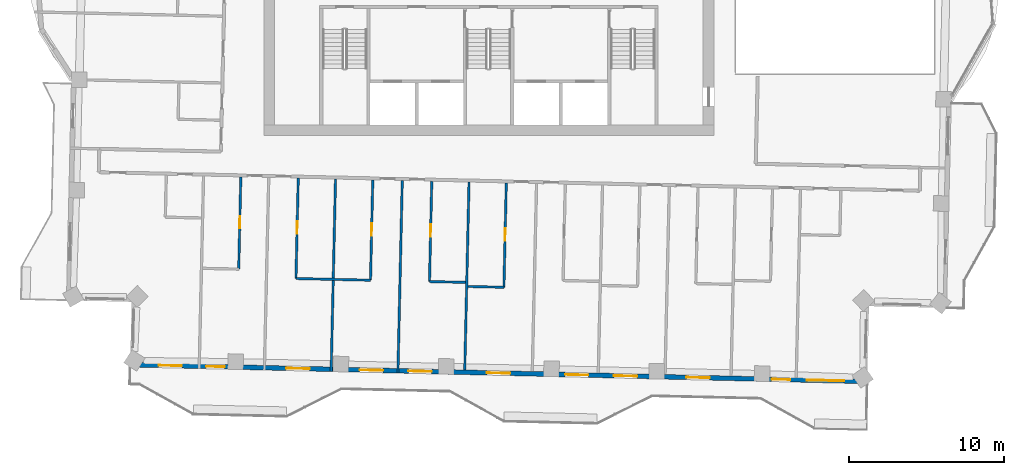
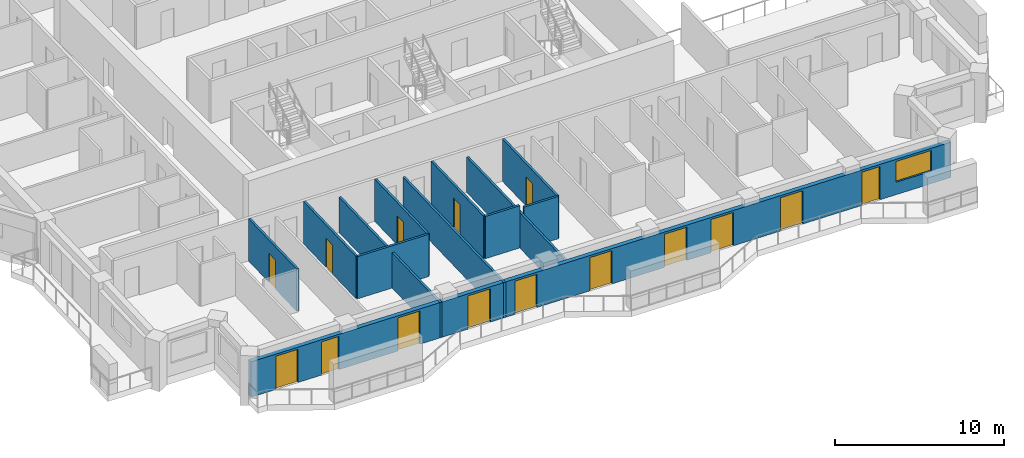
# One storey, part 6 of 17: 15 doors, 12 walls, 1 window, 16 openings.
"""IFC4 building model written with IfcOpenShell, lengths in metres."""

from ifc_helpers import new_model, si_unit, direction, frame, frame_2d, origin, place, context, subcontext, project, spatial, rectangle, extrude, material, layer, layer_set, type_object, element, fill, save


model = new_model("IFC4")

# Units and contexts
model_context = context("Model", 3, precision=1e-05, world=origin(), true_north=direction((0.0, 1.0)))
body_context = subcontext(model_context, "Body", "Model", "MODEL_VIEW")
ifc_project = project(units=[si_unit("LENGTHUNIT", "METRE"), si_unit("AREAUNIT", "SQUARE_METRE"), si_unit("VOLUMEUNIT", "CUBIC_METRE"), si_unit("PLANEANGLEUNIT", "RADIAN"), si_unit("MASSUNIT", "GRAM", prefix="KILO")], contexts=[model_context])

# Site, building, storey
site_placement = place(None, origin())
site = spatial("IfcSite", under=ifc_project, at=site_placement, CompositionType="ELEMENT")
building_placement = place(site_placement, origin())
building = spatial("IfcBuilding", under=site, at=building_placement, Name="Mangrove Gate Tower", CompositionType="ELEMENT")
storey_placement = place(building_placement, frame((0.0, 0.0, 257.300048828125)))
storey = spatial("IfcBuildingStorey", under=building, at=storey_placement, Name="L65", CompositionType="ELEMENT", Elevation=257.300048828125)

# Wall, openings, doors, window
ifc_material_1 = material(Name="Limestone", Category="masonry")
ifc_layer_1 = layer(ifc_material_1, 0.0400390625, Name="Limestone cladding")
ifc_material_2 = material(Name="Ventilated air gap")
ifc_layer_2 = layer(ifc_material_2, 0.0400390625, Name="Ventilated cavity")
ifc_material_3 = material(Name="Mineral wool insulation")
ifc_layer_3 = layer(ifc_material_3, 0.06005859375, Name="Insulation")
ifc_material_4 = material(Name="Breather membrane")
ifc_layer_4 = layer(ifc_material_4, 0.001953125, Name="Breather membrane")
ifc_material_5 = material(Name="Concrete C20/25 blockwork", Category="masonry")
ifc_layer_5 = layer(ifc_material_5, 0.14990234375, Name="Blockwork backing wall")
ifc_material_6 = material(Name="Gypsum plaster")
ifc_layer_6 = layer(ifc_material_6, 0.008056640625, Name="Internal plaster")
ifc_layer_set_1 = layer_set([ifc_layer_1, ifc_layer_2, ifc_layer_3, ifc_layer_4, ifc_layer_5, ifc_layer_6], Name="External wall 300 limestone cladding")
wall_type_1 = type_object("IfcWallType", Name="External wall 300 limestone cladding", PredefinedType="SOLIDWALL", material=ifc_layer_set_1)
wall_1_placement = place(storey_placement, frame((-22.949951171875, -26.2490234375, 0.0), z_axis=(0.0, 0.0, 1.0), x_axis=(0.999742196137, -0.022705533743, 0.0)))
wall_1 = element("IfcWall", 1, at=wall_1_placement, inside=storey, type_object=wall_type_1, Name="WALL-L65-S13", PredefinedType="SOLIDWALL", context=body_context, shape_type="SweptSolid", body=[
    extrude(rectangle(XDim=47.171142578125, YDim=0.300048828125, at=frame_2d((23.58544921875, 0.0))), origin(), (0.0, 0.0, 1.0), 2.550048828125),
])
opening_1_placement = place(wall_1_placement, frame((1.676025390625, 0.0, 0.0)))
opening_1 = element("IfcOpeningElement", 2, at=opening_1_placement, cuts=wall_1, Name="Opening BD1", PredefinedType="OPENING", context=body_context, shape_type="SweptSolid", body=[
    extrude(rectangle(XDim=1.5, YDim=2.39990234375, at=frame_2d((0.75, 1.199951171875))), frame((0.0, 0.159912109375, 0.0), z_axis=(0.0, -1.0, 0.0), x_axis=(1.0, 0.0, 0.0)), (0.0, 0.0, 1.0), 0.320068359375),
])
opening_2_placement = place(wall_1_placement, frame((4.740966796875, 0.0, 0.0)))
opening_2 = element("IfcOpeningElement", 3, at=opening_2_placement, cuts=wall_1, Name="Opening BD2", PredefinedType="OPENING", context=body_context, shape_type="SweptSolid", body=[
    extrude(rectangle(XDim=1.199951171875, YDim=2.39990234375, at=frame_2d((0.60009765625, 1.199951171875))), frame((0.0, 0.159912109375, 0.0), z_axis=(0.0, -1.0, 0.0), x_axis=(1.0, 0.0, 0.0)), (0.0, 0.0, 1.0), 0.320068359375),
])
opening_3_placement = place(wall_1_placement, frame((9.89990234375, 0.0, 0.0)))
opening_3 = element("IfcOpeningElement", 4, at=opening_3_placement, cuts=wall_1, Name="Opening BD1", PredefinedType="OPENING", context=body_context, shape_type="SweptSolid", body=[
    extrude(rectangle(XDim=1.5, YDim=2.39990234375, at=frame_2d((0.75, 1.199951171875))), frame((0.0, 0.159912109375, 0.0), z_axis=(0.0, -1.0, 0.0), x_axis=(1.0, 0.0, 0.0)), (0.0, 0.0, 1.0), 0.320068359375),
])
opening_4_placement = place(wall_1_placement, frame((14.632080078125, 0.0, 0.0)))
opening_4 = element("IfcOpeningElement", 5, at=opening_4_placement, cuts=wall_1, Name="Opening BD1", PredefinedType="OPENING", context=body_context, shape_type="SweptSolid", body=[
    extrude(rectangle(XDim=1.5, YDim=2.39990234375, at=frame_2d((0.75, 1.199951171875))), frame((0.0, 0.159912109375, 0.0), z_axis=(0.0, -1.0, 0.0), x_axis=(1.0, 0.0, 0.0)), (0.0, 0.0, 1.0), 0.320068359375),
])
opening_5_placement = place(wall_1_placement, frame((17.77294921875, 0.0, 0.0)))
opening_5 = element("IfcOpeningElement", 6, at=opening_5_placement, cuts=wall_1, Name="Opening BD1", PredefinedType="OPENING", context=body_context, shape_type="SweptSolid", body=[
    extrude(rectangle(XDim=1.5, YDim=2.39990234375, at=frame_2d((0.75, 1.199951171875))), frame((0.0, 0.159912109375, 0.0), z_axis=(0.0, -1.0, 0.0), x_axis=(1.0, 0.0, 0.0)), (0.0, 0.0, 1.0), 0.320068359375),
])
opening_6_placement = place(wall_1_placement, frame((22.824951171875, 0.0, 0.0)))
opening_6 = element("IfcOpeningElement", 7, at=opening_6_placement, cuts=wall_1, Name="Opening BD1", PredefinedType="OPENING", context=body_context, shape_type="SweptSolid", body=[
    extrude(rectangle(XDim=1.5, YDim=2.39990234375, at=frame_2d((0.75, 1.199951171875))), frame((0.0, 0.159912109375, 0.0), z_axis=(0.0, -1.0, 0.0), x_axis=(1.0, 0.0, 0.0)), (0.0, 0.0, 1.0), 0.320068359375),
])
opening_7_placement = place(wall_1_placement, frame((27.863037109375, 0.0, 0.0)))
opening_7 = element("IfcOpeningElement", 8, at=opening_7_placement, cuts=wall_1, Name="Opening BD1", PredefinedType="OPENING", context=body_context, shape_type="SweptSolid", body=[
    extrude(rectangle(XDim=1.5, YDim=2.39990234375, at=frame_2d((0.75, 1.199951171875))), frame((0.0, 0.159912109375, 0.0), z_axis=(0.0, -1.0, 0.0), x_axis=(1.0, 0.0, 0.0)), (0.0, 0.0, 1.0), 0.320068359375),
])
opening_8_placement = place(wall_1_placement, frame((31.00390625, 0.0, 0.0)))
opening_8 = element("IfcOpeningElement", 9, at=opening_8_placement, cuts=wall_1, Name="Opening BD1", PredefinedType="OPENING", context=body_context, shape_type="SweptSolid", body=[
    extrude(rectangle(XDim=1.5, YDim=2.39990234375, at=frame_2d((0.75, 1.199951171875))), frame((0.0, 0.159912109375, 0.0), z_axis=(0.0, -1.0, 0.0), x_axis=(1.0, 0.0, 0.0)), (0.0, 0.0, 1.0), 0.320068359375),
])
opening_9_placement = place(wall_1_placement, frame((35.675048828125, 0.0, 0.0)))
opening_9 = element("IfcOpeningElement", 10, at=opening_9_placement, cuts=wall_1, Name="Opening BD1", PredefinedType="OPENING", context=body_context, shape_type="SweptSolid", body=[
    extrude(rectangle(XDim=1.5, YDim=2.39990234375, at=frame_2d((0.75, 1.199951171875))), frame((0.0, 0.159912109375, 0.0), z_axis=(0.0, -1.0, 0.0), x_axis=(1.0, 0.0, 0.0)), (0.0, 0.0, 1.0), 0.320068359375),
])
opening_10_placement = place(wall_1_placement, frame((41.169921875, 0.0, 0.0)))
opening_10 = element("IfcOpeningElement", 11, at=opening_10_placement, cuts=wall_1, Name="Opening BD2", PredefinedType="OPENING", context=body_context, shape_type="SweptSolid", body=[
    extrude(rectangle(XDim=1.199951171875, YDim=2.39990234375, at=frame_2d((0.60009765625, 1.199951171875))), frame((0.0, 0.159912109375, 0.0), z_axis=(0.0, -1.0, 0.0), x_axis=(1.0, 0.0, 0.0)), (0.0, 0.0, 1.0), 0.320068359375),
])
opening_11_placement = place(wall_1_placement, frame((43.43798828125, 0.0, 0.89990234375)))
opening_11 = element("IfcOpeningElement", 12, at=opening_11_placement, cuts=wall_1, Name="Opening W2", PredefinedType="OPENING", context=body_context, shape_type="SweptSolid", body=[
    extrude(rectangle(XDim=2.39990234375, YDim=1.5, at=frame_2d((1.199951171875, 0.75))), frame((0.0, 0.159912109375, 0.0), z_axis=(0.0, -1.0, 0.0), x_axis=(1.0, 0.0, 0.0)), (0.0, 0.0, 1.0), 0.320068359375),
])
ifc_material_7 = material(Name="Aluminium frame with laminated clear glass", Category="aluminium")
door_type_1 = type_object("IfcDoorType", Name="Balcony sliding door 1200x2400", OperationType="SLIDING_TO_LEFT", PredefinedType="DOOR", material=ifc_material_7)
door_1_placement = place(opening_2_placement, origin())
door_1 = element("IfcDoor", 13, at=door_1_placement, inside=storey, type_object=door_type_1, Name="DOOR-L65-S13-2", OperationType="SLIDING_TO_LEFT", OverallHeight=2.39990234375, OverallWidth=1.199951171875, PredefinedType="DOOR", context=body_context, shape_type="SweptSolid", body=[
    extrude(rectangle(XDim=1.199951171875, YDim=2.39990234375, at=frame_2d((0.60009765625, 1.199951171875))), frame((0.0, 0.02490234375, 0.0), z_axis=(0.0, -1.0, 0.0), x_axis=(1.0, 0.0, 0.0)), (0.0, 0.0, 1.0), 0.050048828125),
])
fill(opening_2, door_1)
door_2_placement = place(opening_10_placement, origin())
door_2 = element("IfcDoor", 14, at=door_2_placement, inside=storey, type_object=door_type_1, Name="DOOR-L65-S13-10", OperationType="SLIDING_TO_LEFT", OverallHeight=2.39990234375, OverallWidth=1.199951171875, PredefinedType="DOOR", context=body_context, shape_type="SweptSolid", body=[
    extrude(rectangle(XDim=1.199951171875, YDim=2.39990234375, at=frame_2d((0.60009765625, 1.199951171875))), frame((0.0, 0.02490234375, 0.0), z_axis=(0.0, -1.0, 0.0), x_axis=(1.0, 0.0, 0.0)), (0.0, 0.0, 1.0), 0.050048828125),
])
fill(opening_10, door_2)
ifc_material_8 = material(Name="Aluminium frame with laminated clear glass", Category="aluminium")
door_type_2 = type_object("IfcDoorType", Name="Balcony sliding door 1500x2400", OperationType="SLIDING_TO_LEFT", PredefinedType="DOOR", material=ifc_material_8)
door_3_placement = place(opening_1_placement, origin())
door_3 = element("IfcDoor", 15, at=door_3_placement, inside=storey, type_object=door_type_2, Name="DOOR-L65-S13-1", OperationType="SLIDING_TO_LEFT", OverallHeight=2.39990234375, OverallWidth=1.5, PredefinedType="DOOR", context=body_context, shape_type="SweptSolid", body=[
    extrude(rectangle(XDim=1.5, YDim=2.39990234375, at=frame_2d((0.75, 1.199951171875))), frame((0.0, 0.02490234375, 0.0), z_axis=(0.0, -1.0, 0.0), x_axis=(1.0, 0.0, 0.0)), (0.0, 0.0, 1.0), 0.050048828125),
])
fill(opening_1, door_3)
door_4_placement = place(opening_3_placement, origin())
door_4 = element("IfcDoor", 16, at=door_4_placement, inside=storey, type_object=door_type_2, Name="DOOR-L65-S13-3", OperationType="SLIDING_TO_LEFT", OverallHeight=2.39990234375, OverallWidth=1.5, PredefinedType="DOOR", context=body_context, shape_type="SweptSolid", body=[
    extrude(rectangle(XDim=1.5, YDim=2.39990234375, at=frame_2d((0.75, 1.199951171875))), frame((0.0, 0.02490234375, 0.0), z_axis=(0.0, -1.0, 0.0), x_axis=(1.0, 0.0, 0.0)), (0.0, 0.0, 1.0), 0.050048828125),
])
fill(opening_3, door_4)
door_5_placement = place(opening_4_placement, origin())
door_5 = element("IfcDoor", 17, at=door_5_placement, inside=storey, type_object=door_type_2, Name="DOOR-L65-S13-4", OperationType="SLIDING_TO_LEFT", OverallHeight=2.39990234375, OverallWidth=1.5, PredefinedType="DOOR", context=body_context, shape_type="SweptSolid", body=[
    extrude(rectangle(XDim=1.5, YDim=2.39990234375, at=frame_2d((0.75, 1.199951171875))), frame((0.0, 0.02490234375, 0.0), z_axis=(0.0, -1.0, 0.0), x_axis=(1.0, 0.0, 0.0)), (0.0, 0.0, 1.0), 0.050048828125),
])
fill(opening_4, door_5)
door_6_placement = place(opening_5_placement, origin())
door_6 = element("IfcDoor", 18, at=door_6_placement, inside=storey, type_object=door_type_2, Name="DOOR-L65-S13-5", OperationType="SLIDING_TO_LEFT", OverallHeight=2.39990234375, OverallWidth=1.5, PredefinedType="DOOR", context=body_context, shape_type="SweptSolid", body=[
    extrude(rectangle(XDim=1.5, YDim=2.39990234375, at=frame_2d((0.75, 1.199951171875))), frame((0.0, 0.02490234375, 0.0), z_axis=(0.0, -1.0, 0.0), x_axis=(1.0, 0.0, 0.0)), (0.0, 0.0, 1.0), 0.050048828125),
])
fill(opening_5, door_6)
door_7_placement = place(opening_6_placement, origin())
door_7 = element("IfcDoor", 19, at=door_7_placement, inside=storey, type_object=door_type_2, Name="DOOR-L65-S13-6", OperationType="SLIDING_TO_LEFT", OverallHeight=2.39990234375, OverallWidth=1.5, PredefinedType="DOOR", context=body_context, shape_type="SweptSolid", body=[
    extrude(rectangle(XDim=1.5, YDim=2.39990234375, at=frame_2d((0.75, 1.199951171875))), frame((0.0, 0.02490234375, 0.0), z_axis=(0.0, -1.0, 0.0), x_axis=(1.0, 0.0, 0.0)), (0.0, 0.0, 1.0), 0.050048828125),
])
fill(opening_6, door_7)
door_8_placement = place(opening_7_placement, origin())
door_8 = element("IfcDoor", 20, at=door_8_placement, inside=storey, type_object=door_type_2, Name="DOOR-L65-S13-7", OperationType="SLIDING_TO_LEFT", OverallHeight=2.39990234375, OverallWidth=1.5, PredefinedType="DOOR", context=body_context, shape_type="SweptSolid", body=[
    extrude(rectangle(XDim=1.5, YDim=2.39990234375, at=frame_2d((0.75, 1.199951171875))), frame((0.0, 0.02490234375, 0.0), z_axis=(0.0, -1.0, 0.0), x_axis=(1.0, 0.0, 0.0)), (0.0, 0.0, 1.0), 0.050048828125),
])
fill(opening_7, door_8)
door_9_placement = place(opening_8_placement, origin())
door_9 = element("IfcDoor", 21, at=door_9_placement, inside=storey, type_object=door_type_2, Name="DOOR-L65-S13-8", OperationType="SLIDING_TO_LEFT", OverallHeight=2.39990234375, OverallWidth=1.5, PredefinedType="DOOR", context=body_context, shape_type="SweptSolid", body=[
    extrude(rectangle(XDim=1.5, YDim=2.39990234375, at=frame_2d((0.75, 1.199951171875))), frame((0.0, 0.02490234375, 0.0), z_axis=(0.0, -1.0, 0.0), x_axis=(1.0, 0.0, 0.0)), (0.0, 0.0, 1.0), 0.050048828125),
])
fill(opening_8, door_9)
door_10_placement = place(opening_9_placement, origin())
door_10 = element("IfcDoor", 22, at=door_10_placement, inside=storey, type_object=door_type_2, Name="DOOR-L65-S13-9", OperationType="SLIDING_TO_LEFT", OverallHeight=2.39990234375, OverallWidth=1.5, PredefinedType="DOOR", context=body_context, shape_type="SweptSolid", body=[
    extrude(rectangle(XDim=1.5, YDim=2.39990234375, at=frame_2d((0.75, 1.199951171875))), frame((0.0, 0.02490234375, 0.0), z_axis=(0.0, -1.0, 0.0), x_axis=(1.0, 0.0, 0.0)), (0.0, 0.0, 1.0), 0.050048828125),
])
fill(opening_9, door_10)
ifc_material_9 = material(Name="Aluminium frame with double-glazed low-e glass", Category="aluminium")
window_type = type_object("IfcWindowType", Name="Corner room window 2400x1500", PartitioningType="DOUBLE_PANEL_VERTICAL", PredefinedType="WINDOW", material=ifc_material_9)
window_placement = place(opening_11_placement, origin())
window = element("IfcWindow", 23, at=window_placement, inside=storey, type_object=window_type, Name="WIN-L65-S13-11", OverallHeight=1.5, OverallWidth=2.39990234375, PartitioningType="DOUBLE_PANEL_VERTICAL", PredefinedType="WINDOW", context=body_context, shape_type="SweptSolid", body=[
    extrude(rectangle(XDim=2.39990234375, YDim=1.5, at=frame_2d((1.199951171875, 0.75))), frame((0.0, 0.030029296875, 0.0), z_axis=(0.0, -1.0, 0.0), x_axis=(1.0, 0.0, 0.0)), (0.0, 0.0, 1.0), 0.06005859375),
])
fill(opening_11, window)

# Walls
ifc_material_10 = material(Name="Gypsum board on steel stud, EI 60", Category="steel")
ifc_layer_7 = layer(ifc_material_10, 0.14990234375)
ifc_layer_set_2 = layer_set([ifc_layer_7], Name="Party wall 150 EI 60")
wall_type_2 = type_object("IfcWallType", Name="Party wall 150 EI 60", PredefinedType="PARTITIONING", material=ifc_layer_set_2)
wall_2_placement = place(storey_placement, frame((-10.160888671875, -26.68994140625, 0.0), z_axis=(0.0, 0.0, 1.0), x_axis=(0.022661475803, 0.999743195783, 0.0)))
element("IfcWall", 24, at=wall_2_placement, inside=storey, type_object=wall_type_2, Name="WALL-L65-003", PredefinedType="PARTITIONING", context=body_context, shape_type="SweptSolid", body=[
    extrude(rectangle(XDim=12.400146484375, YDim=0.14990234375, at=frame_2d((6.2001953125, 0.0))), origin(), (0.0, 0.0, 1.0), 2.550048828125),
])
wall_3_placement = place(storey_placement, frame((-5.862060546875, -26.787109375, 0.0), z_axis=(0.0, 0.0, 1.0), x_axis=(0.022661029756, 0.999743205894, 0.0)))
element("IfcWall", 25, at=wall_3_placement, inside=storey, type_object=wall_type_2, Name="WALL-L65-004", PredefinedType="PARTITIONING", context=body_context, shape_type="SweptSolid", body=[
    extrude(rectangle(XDim=12.400390625, YDim=0.14990234375, at=frame_2d((6.2001953125, 0.0))), origin(), (0.0, 0.0, 1.0), 2.550048828125),
])
wall_4_placement = place(storey_placement, frame((-1.556884765625, -26.5849609375, 0.0), z_axis=(0.0, 0.0, 1.0), x_axis=(0.022719113715, 0.999741887625, 0.0)))
element("IfcWall", 26, at=wall_4_placement, inside=storey, type_object=wall_type_2, Name="WALL-L65-005", PredefinedType="PARTITIONING", context=body_context, shape_type="SweptSolid", body=[
    extrude(rectangle(XDim=12.10009765625, YDim=0.14990234375, at=frame_2d((6.050048828125, 0.0))), origin(), (0.0, 0.0, 1.0), 2.550048828125),
])
wall_5_placement = place(storey_placement, frame((-1.35498046875, -21.2080078125, 0.0), z_axis=(0.0, 0.0, 1.0), x_axis=(0.999740260747, -0.02279059109, 0.0)))
element("IfcWall", 27, at=wall_5_placement, inside=storey, type_object=wall_type_2, Name="WALL-L65-011", PredefinedType="PARTITIONING", context=body_context, shape_type="SweptSolid", body=[
    extrude(rectangle(XDim=2.324462890625, YDim=0.14990234375, at=frame_2d((1.162109375, 0.0))), origin(), (0.0, 0.0, 1.0), 3.050048828125),
])

# Wall, opening, door
wall_6_placement = place(storey_placement, frame((0.965087890625, -21.260986328125, 0.0), z_axis=(0.0, 0.0, 1.0), x_axis=(0.022595152847, 0.999744696944, 0.0)))
wall_6 = element("IfcWall", 28, at=wall_6_placement, inside=storey, type_object=wall_type_2, Name="WALL-L65-012", PredefinedType="PARTITIONING", context=body_context, shape_type="SweptSolid", body=[
    extrude(rectangle(XDim=6.720703125, YDim=0.14990234375, at=frame_2d((3.3603515625, 0.0))), origin(), (0.0, 0.0, 1.0), 3.050048828125),
])
opening_12_placement = place(wall_6_placement, frame((3.010009765625, 0.0, 0.0)))
opening_12 = element("IfcOpeningElement", 29, at=opening_12_placement, cuts=wall_6, Name="Opening ED", PredefinedType="OPENING", context=body_context, shape_type="SweptSolid", body=[
    extrude(rectangle(XDim=0.800048828125, YDim=2.10009765625, at=frame_2d((0.39990234375, 1.050048828125))), frame((0.0, 0.0849609375, 0.0), z_axis=(0.0, -1.0, 0.0), x_axis=(1.0, 0.0, 0.0)), (0.0, 0.0, 1.0), 0.169921875),
])
ifc_material_11 = material(Name="Timber door leaf", Category="wood")
door_type_3 = type_object("IfcDoorType", Name="En-suite door 800", OperationType="SINGLE_SWING_LEFT", PredefinedType="DOOR", material=ifc_material_11)
door_11_placement = place(opening_12_placement, origin())
door_11 = element("IfcDoor", 30, at=door_11_placement, inside=storey, type_object=door_type_3, Name="DOOR-L65-ENS-c205", OperationType="SINGLE_SWING_LEFT", OverallHeight=2.10009765625, OverallWidth=0.800048828125, PredefinedType="DOOR", context=body_context, shape_type="SweptSolid", body=[
    extrude(rectangle(XDim=0.800048828125, YDim=2.10009765625, at=frame_2d((0.39990234375, 1.050048828125))), frame((0.0, 0.02490234375, 0.0), z_axis=(0.0, -1.0, 0.0), x_axis=(1.0, 0.0, 0.0)), (0.0, 0.0, 1.0), 0.050048828125),
])
fill(opening_12, door_11)

wall_7_placement = place(storey_placement, frame((-12.426025390625, -20.697021484375, 0.0), z_axis=(0.0, 0.0, 1.0), x_axis=(0.02274887394, 0.999741210881, 0.0)))
wall_7 = element("IfcWall", 31, at=wall_7_placement, inside=storey, type_object=wall_type_2, Name="WALL-L65-013", PredefinedType="PARTITIONING", context=body_context, shape_type="SweptSolid", body=[
    extrude(rectangle(XDim=6.460693359375, YDim=0.14990234375, at=frame_2d((3.23046875, 0.0))), origin(), (0.0, 0.0, 1.0), 3.050048828125),
])
opening_13_placement = place(wall_7_placement, frame((2.8798828125, 0.0, 0.0)))
opening_13 = element("IfcOpeningElement", 32, at=opening_13_placement, cuts=wall_7, Name="Opening ED", PredefinedType="OPENING", context=body_context, shape_type="SweptSolid", body=[
    extrude(rectangle(XDim=0.800048828125, YDim=2.10009765625, at=frame_2d((0.39990234375, 1.050048828125))), frame((0.0, 0.0849609375, 0.0), z_axis=(0.0, -1.0, 0.0), x_axis=(1.0, 0.0, 0.0)), (0.0, 0.0, 1.0), 0.169921875),
])
door_12_placement = place(opening_13_placement, origin())
door_12 = element("IfcDoor", 33, at=door_12_placement, inside=storey, type_object=door_type_3, Name="DOOR-L65-ENS-c102", OperationType="SINGLE_SWING_RIGHT", OverallHeight=2.10009765625, OverallWidth=0.800048828125, PredefinedType="DOOR", context=body_context, shape_type="SweptSolid", body=[
    extrude(rectangle(XDim=0.800048828125, YDim=2.10009765625, at=frame_2d((0.39990234375, 1.050048828125))), frame((0.0, 0.02490234375, 0.0), z_axis=(0.0, -1.0, 0.0), x_axis=(1.0, 0.0, 0.0)), (0.0, 0.0, 1.0), 0.050048828125),
])
fill(opening_13, door_12)

# Wall
wall_8_placement = place(storey_placement, frame((-12.422119140625, -20.697021484375, 0.0), z_axis=(0.0, 0.0, 1.0), x_axis=(0.999742701292, -0.022683280499, 0.0)))
element("IfcWall", 34, at=wall_8_placement, inside=storey, type_object=wall_type_2, Name="WALL-L65-014", PredefinedType="PARTITIONING", context=body_context, shape_type="SweptSolid", body=[
    extrude(rectangle(XDim=4.80029296875, YDim=0.14990234375, at=frame_2d((2.400146484375, 0.0))), origin(), (0.0, 0.0, 1.0), 3.050048828125),
])

# Wall, opening, door
wall_9_placement = place(storey_placement, frame((-7.626953125, -20.805908203125, 0.0), z_axis=(0.0, 0.0, 1.0), x_axis=(0.02274887394, 0.999741210881, 0.0)))
wall_9 = element("IfcWall", 35, at=wall_9_placement, inside=storey, type_object=wall_type_2, Name="WALL-L65-015", PredefinedType="PARTITIONING", context=body_context, shape_type="SweptSolid", body=[
    extrude(rectangle(XDim=6.460693359375, YDim=0.14990234375, at=frame_2d((3.23046875, 0.0))), origin(), (0.0, 0.0, 1.0), 3.050048828125),
])
opening_14_placement = place(wall_9_placement, frame((2.8798828125, 0.0, 0.0)))
opening_14 = element("IfcOpeningElement", 36, at=opening_14_placement, cuts=wall_9, Name="Opening ED", PredefinedType="OPENING", context=body_context, shape_type="SweptSolid", body=[
    extrude(rectangle(XDim=0.800048828125, YDim=2.10009765625, at=frame_2d((0.39990234375, 1.050048828125))), frame((0.0, 0.0849609375, 0.0), z_axis=(0.0, -1.0, 0.0), x_axis=(1.0, 0.0, 0.0)), (0.0, 0.0, 1.0), 0.169921875),
])
door_13_placement = place(opening_14_placement, origin())
door_13 = element("IfcDoor", 37, at=door_13_placement, inside=storey, type_object=door_type_3, Name="DOOR-L65-ENS-c103", OperationType="SINGLE_SWING_LEFT", OverallHeight=2.10009765625, OverallWidth=0.800048828125, PredefinedType="DOOR", context=body_context, shape_type="SweptSolid", body=[
    extrude(rectangle(XDim=0.800048828125, YDim=2.10009765625, at=frame_2d((0.39990234375, 1.050048828125))), frame((0.0, 0.02490234375, 0.0), z_axis=(0.0, -1.0, 0.0), x_axis=(1.0, 0.0, 0.0)), (0.0, 0.0, 1.0), 0.050048828125),
])
fill(opening_14, door_13)

wall_10_placement = place(storey_placement, frame((-3.827880859375, -20.89208984375, 0.0), z_axis=(0.0, 0.0, 1.0), x_axis=(0.02274887394, 0.999741210881, 0.0)))
wall_10 = element("IfcWall", 38, at=wall_10_placement, inside=storey, type_object=wall_type_2, Name="WALL-L65-016", PredefinedType="PARTITIONING", context=body_context, shape_type="SweptSolid", body=[
    extrude(rectangle(XDim=6.460693359375, YDim=0.14990234375, at=frame_2d((3.23046875, 0.0))), origin(), (0.0, 0.0, 1.0), 3.050048828125),
])
opening_15_placement = place(wall_10_placement, frame((2.8798828125, 0.0, 0.0)))
opening_15 = element("IfcOpeningElement", 39, at=opening_15_placement, cuts=wall_10, Name="Opening ED", PredefinedType="OPENING", context=body_context, shape_type="SweptSolid", body=[
    extrude(rectangle(XDim=0.800048828125, YDim=2.10009765625, at=frame_2d((0.39990234375, 1.050048828125))), frame((0.0, 0.0849609375, 0.0), z_axis=(0.0, -1.0, 0.0), x_axis=(1.0, 0.0, 0.0)), (0.0, 0.0, 1.0), 0.169921875),
])
door_14_placement = place(opening_15_placement, origin())
door_14 = element("IfcDoor", 40, at=door_14_placement, inside=storey, type_object=door_type_3, Name="DOOR-L65-ENS-c104", OperationType="SINGLE_SWING_RIGHT", OverallHeight=2.10009765625, OverallWidth=0.800048828125, PredefinedType="DOOR", context=body_context, shape_type="SweptSolid", body=[
    extrude(rectangle(XDim=0.800048828125, YDim=2.10009765625, at=frame_2d((0.39990234375, 1.050048828125))), frame((0.0, 0.02490234375, 0.0), z_axis=(0.0, -1.0, 0.0), x_axis=(1.0, 0.0, 0.0)), (0.0, 0.0, 1.0), 0.050048828125),
])
fill(opening_15, door_14)

# Wall
wall_11_placement = place(storey_placement, frame((-3.823974609375, -20.89208984375, 0.0), z_axis=(0.0, 0.0, 1.0), x_axis=(0.999740260747, -0.02279059109, 0.0)))
element("IfcWall", 41, at=wall_11_placement, inside=storey, type_object=wall_type_2, Name="WALL-L65-017", PredefinedType="PARTITIONING", context=body_context, shape_type="SweptSolid", body=[
    extrude(rectangle(XDim=2.324462890625, YDim=0.14990234375, at=frame_2d((1.162109375, 0.0))), origin(), (0.0, 0.0, 1.0), 3.050048828125),
])

# Wall, opening, door
wall_12_placement = place(storey_placement, frame((-16.113037109375, -20.093017578125, 0.0), z_axis=(0.0, 0.0, 1.0), x_axis=(0.022727006686, 0.999741708226, 0.0)))
wall_12 = element("IfcWall", 42, at=wall_12_placement, inside=storey, type_object=wall_type_2, Name="WALL-L65-025", PredefinedType="PARTITIONING", context=body_context, shape_type="SweptSolid", body=[
    extrude(rectangle(XDim=5.9404296875, YDim=0.14990234375, at=frame_2d((2.97021484375, 0.0))), origin(), (0.0, 0.0, 1.0), 3.050048828125),
])
opening_16_placement = place(wall_12_placement, frame((2.6201171875, 0.0, 0.0)))
opening_16 = element("IfcOpeningElement", 43, at=opening_16_placement, cuts=wall_12, Name="Opening ED", PredefinedType="OPENING", context=body_context, shape_type="SweptSolid", body=[
    extrude(rectangle(XDim=0.800048828125, YDim=2.10009765625, at=frame_2d((0.39990234375, 1.050048828125))), frame((0.0, 0.0849609375, 0.0), z_axis=(0.0, -1.0, 0.0), x_axis=(1.0, 0.0, 0.0)), (0.0, 0.0, 1.0), 0.169921875),
])
door_15_placement = place(opening_16_placement, origin())
door_15 = element("IfcDoor", 44, at=door_15_placement, inside=storey, type_object=door_type_3, Name="DOOR-L65-ENS-c101", OperationType="SINGLE_SWING_LEFT", OverallHeight=2.10009765625, OverallWidth=0.800048828125, PredefinedType="DOOR", context=body_context, shape_type="SweptSolid", body=[
    extrude(rectangle(XDim=0.800048828125, YDim=2.10009765625, at=frame_2d((0.39990234375, 1.050048828125))), frame((0.0, 0.02490234375, 0.0), z_axis=(0.0, -1.0, 0.0), x_axis=(1.0, 0.0, 0.0)), (0.0, 0.0, 1.0), 0.050048828125),
])
fill(opening_16, door_15)

save(model, "model.ifc")
